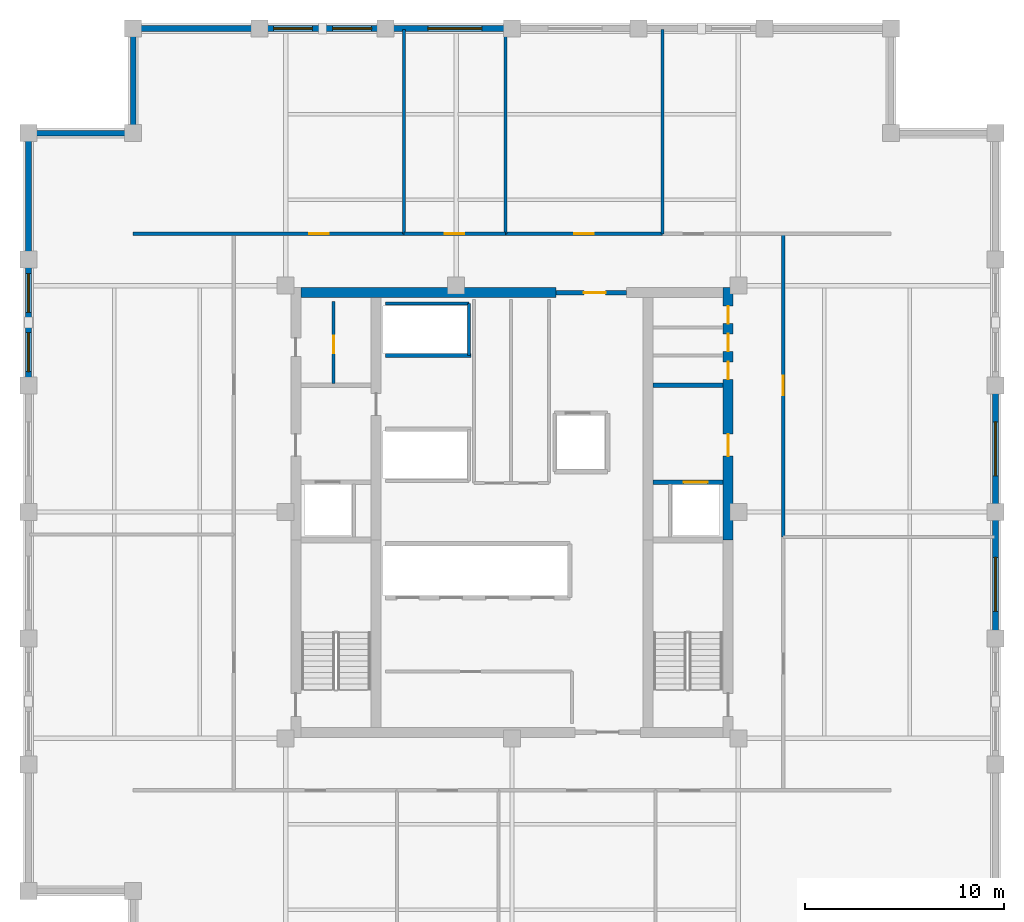
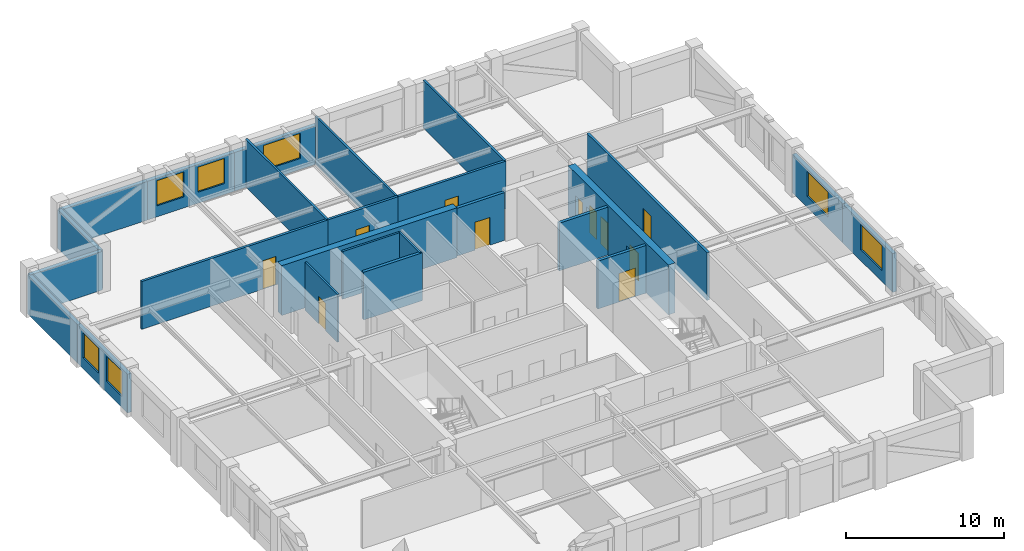
# One storey, part 4 of 6: 25 walls, 11 doors, 7 windows, 18 openings.
"""IFC4 building model written with IfcOpenShell, lengths in metres."""

import ifcopenshell
import ifcopenshell.guid

model = None  # the IFC model being written
_history = None  # IfcOwnerHistory: only IFC2X3 demands one
_inside = {}  # id of a spatial element -> (the spatial element, [elements in it])
_under = {}  # id of a project, library or spatial element -> (it, [spatial elements below it])
_declared = {}  # id of a project -> (the project, [libraries it declares])
_typed = {}  # id of a type object -> (the type object, [elements of that type])
_made_of = {}  # id of a material, layer set ... -> (it, [elements and type objects made of it])


def new_model(schema):
    """Start an empty IFC model of exactly this schema.

    Asked for "IFC4X3", IfcOpenShell would pick the latest addendum, in which some entities
    have other attributes; the version numbers below select the first issue.
    IFC2X3 requires an IfcOwnerHistory on every rooted entity: one is made here for all.
    """
    global model, _history
    if schema == "IFC4X3":
        model = ifcopenshell.file(schema_version=(4, 3, 0, 0))
    else:
        model = ifcopenshell.file(schema=schema)
    _inside.clear()
    _under.clear()
    _declared.clear()
    _typed.clear()
    _made_of.clear()
    _history = None
    if model.schema == "IFC2X3":
        org = make("IfcOrganization", Name="unknown")
        user = make(
            "IfcPersonAndOrganization",
            ThePerson=make("IfcPerson", FamilyName="unknown"),
            TheOrganization=org,
        )
        app = make(
            "IfcApplication",
            ApplicationDeveloper=org,
            Version="unknown",
            ApplicationFullName="unknown",
            ApplicationIdentifier="unknown",
        )
        _history = make(
            "IfcOwnerHistory",
            OwningUser=user,
            OwningApplication=app,
            ChangeAction="ADDED",
            CreationDate=0,
        )
    return model


def make(cls, **values):
    """One entity of the class cls with the attributes given. An attribute that is None is left unset."""
    return model.create_entity(
        cls, **{name: value for name, value in values.items() if value is not None}
    )


def rooted(cls, **values):
    """An entity with a GlobalId (a new one), such as an element, a storey or a relation."""
    return make(cls, GlobalId=ifcopenshell.guid.new(), OwnerHistory=_history, **values)


def si_unit(unit_type, name, prefix=None):
    """IfcSIUnit, for example si_unit("LENGTHUNIT", "METRE", prefix="MILLI")."""
    return make("IfcSIUnit", UnitType=unit_type, Prefix=prefix, Name=name)


def assignment(units):
    """IfcUnitAssignment: the units of a project."""
    return None if units is None else make("IfcUnitAssignment", Units=units)


def point(xyz):
    """IfcCartesianPoint."""
    return None if xyz is None else make("IfcCartesianPoint", Coordinates=xyz)


def direction(xyz):
    """IfcDirection."""
    return None if xyz is None else make("IfcDirection", DirectionRatios=xyz)


def frame(location, z_axis=None, x_axis=None):
    """IfcAxis2Placement3D, a coordinate frame: its origin and axes. An axis left out is left unset."""
    return make(
        "IfcAxis2Placement3D",
        Location=point(location),
        Axis=direction(z_axis),
        RefDirection=direction(x_axis),
    )


def frame_2d(location, x_axis=None):
    """IfcAxis2Placement2D, a coordinate frame in the plane: its origin and x axis."""
    return make(
        "IfcAxis2Placement2D", Location=point(location), RefDirection=direction(x_axis)
    )


def origin():
    """The frame at (0, 0, 0) with its axes left unset."""
    return frame((0.0, 0.0, 0.0))


def place(relative_to, where):
    """IfcLocalPlacement: puts the frame where relative to a parent placement (None: the world)."""
    return make(
        "IfcLocalPlacement", PlacementRelTo=relative_to, RelativePlacement=where
    )


def context(
    kind, dimensions, precision=None, world=None, true_north=None, identifier=None
):
    """IfcGeometricRepresentationContext, for example the 3D "Model" context."""
    return make(
        "IfcGeometricRepresentationContext",
        ContextIdentifier=identifier,
        ContextType=kind,
        CoordinateSpaceDimension=dimensions,
        Precision=precision,
        WorldCoordinateSystem=world,
        TrueNorth=true_north,
    )


def subcontext(parent, identifier, kind, view, scale=None):
    """IfcGeometricRepresentationSubContext, for example "Body" below "Model"."""
    return make(
        "IfcGeometricRepresentationSubContext",
        ContextIdentifier=identifier,
        ContextType=kind,
        ParentContext=parent,
        TargetScale=scale,
        TargetView=view,
    )


def project(units=None, contexts=None):
    """IfcProject with its units and contexts."""
    return rooted(
        "IfcProject",
        Name="project",
        RepresentationContexts=contexts,
        UnitsInContext=assignment(units),
    )


def spatial(cls, under=None, at=None, **own):
    """A site, building, storey or space (cls), placed at a placement, below another one or the project."""
    s = rooted(cls, ObjectPlacement=at, **own)
    if under is not None:
        _under.setdefault(under.id(), (under, []))[1].append(s)
    return s


def profile(cls, at=None, kind="AREA", **sizes):
    """A parametric profile (cls). Its sizes go by their IFC names, for example OverallWidth=200.0."""
    return make(cls, ProfileType=kind, Position=at, **sizes)


def rectangle(**sizes):
    """IfcRectangleProfileDef."""
    return profile("IfcRectangleProfileDef", **sizes)


def extrude(swept, where, along, depth):
    """IfcExtrudedAreaSolid: the profile swept, set in the frame where, extruded along a direction by depth."""
    return make(
        "IfcExtrudedAreaSolid",
        SweptArea=swept,
        Position=where,
        ExtrudedDirection=direction(along),
        Depth=depth,
    )


def shape(context_of_items, identifier, shape_type, items):
    """IfcShapeRepresentation: the items that make up one representation, for example the "Body"."""
    return make(
        "IfcShapeRepresentation",
        ContextOfItems=context_of_items,
        RepresentationIdentifier=identifier,
        RepresentationType=shape_type,
        Items=items,
    )


def material(Name=None, Category=None):
    """IfcMaterial."""
    return make("IfcMaterial", Name=Name, Category=Category)


def layer(
    of_material, thickness, ventilated=None, Name=None, Category=None, Priority=None
):
    """IfcMaterialLayer: one layer of a wall or slab, of a material (None: an air gap)."""
    return make(
        "IfcMaterialLayer",
        Material=of_material,
        LayerThickness=thickness,
        IsVentilated=ventilated,
        Name=Name,
        Category=Category,
        Priority=Priority,
    )


def layer_set(layers, Name=None):
    """IfcMaterialLayerSet."""
    return make("IfcMaterialLayerSet", MaterialLayers=layers, LayerSetName=Name)


def made_of(thing, what):
    """Note that an element or type object is made of a material, layer set ...; save() writes the relation."""
    if what is not None:
        _made_of.setdefault(what.id(), (what, []))[1].append(thing)
    return thing


def type_object(cls, material=None, **own):
    """A type object (cls), such as IfcWallType, which elements share."""
    return made_of(rooted(cls, **own), material)


def element(
    cls,
    number,
    at=None,
    inside=None,
    cuts=None,
    type_object=None,
    material=None,
    context=None,
    identifier="Body",
    shape_type=None,
    held_by="IfcProductDefinitionShape",
    body=None,
    shapes=None,
    **own,
):
    """One element of the class cls, such as IfcWall. Its Tag is "e" and its number.

    at: its placement. inside: the storey or other place that contains it. cuts: it is an
    opening in that element (IfcRelVoidsElement). A single representation is given by context,
    identifier, shape_type and body (its items); several are given by shapes. held_by: the class
    of the entity that holds the representations. save() writes the other relations.
    """
    e = rooted(cls, Tag="e%d" % number, ObjectPlacement=at, **own)
    if body is not None:
        shapes = [shape(context, identifier, shape_type, body)]
    if shapes is not None:
        e.Representation = make(held_by, Representations=shapes)
    if inside is not None:
        _inside.setdefault(inside.id(), (inside, []))[1].append(e)
    if cuts is not None:
        rooted(
            "IfcRelVoidsElement", RelatingBuildingElement=cuts, RelatedOpeningElement=e
        )
    if type_object is not None:
        _typed.setdefault(type_object.id(), (type_object, []))[1].append(e)
    return made_of(e, material)


def fill(opening, filler):
    """IfcRelFillsElement: the door or window that sits in an opening."""
    return rooted(
        "IfcRelFillsElement",
        RelatingOpeningElement=opening,
        RelatedBuildingElement=filler,
    )


def aggregate(whole, parts):
    """IfcRelAggregates: a whole, such as a stair, and the parts it consists of."""
    return rooted("IfcRelAggregates", RelatingObject=whole, RelatedObjects=parts)


def save(model, path):
    """Write the relations noted so far, then the file.

    IfcRelAggregates (storeys below a building ...), IfcRelContainedInSpatialStructure (elements
    in a storey), IfcRelDefinesByType, IfcRelAssociatesMaterial and IfcRelDeclares: one each for
    every whole, place, type object, material and project.
    """
    for whole, parts in _under.values():
        aggregate(whole, parts)
    for where, things in _inside.values():
        rooted(
            "IfcRelContainedInSpatialStructure",
            RelatedElements=things,
            RelatingStructure=where,
        )
    for kind, things in _typed.values():
        rooted("IfcRelDefinesByType", RelatedObjects=things, RelatingType=kind)
    for what, things in _made_of.values():
        rooted("IfcRelAssociatesMaterial", RelatedObjects=things, RelatingMaterial=what)
    for by, libraries in _declared.values():
        rooted("IfcRelDeclares", RelatingContext=by, RelatedDefinitions=libraries)
    model.write(path)


model = new_model("IFC4")

# Units and contexts
model_context = context("Model", 3, precision=1e-05, world=origin(), true_north=direction((0.0, 1.0)))
body_context = subcontext(model_context, "Body", "Model", "MODEL_VIEW")
ifc_project = project(units=[si_unit("LENGTHUNIT", "METRE"), si_unit("AREAUNIT", "SQUARE_METRE"), si_unit("VOLUMEUNIT", "CUBIC_METRE"), si_unit("PLANEANGLEUNIT", "RADIAN"), si_unit("MASSUNIT", "GRAM", prefix="KILO")], contexts=[model_context])

# Site, building, storey
site_placement = place(None, origin())
site = spatial("IfcSite", under=ifc_project, at=site_placement, CompositionType="ELEMENT")
building_placement = place(site_placement, origin())
building = spatial("IfcBuilding", under=site, at=building_placement, Name="Nhamokura Convention Tower", CompositionType="ELEMENT")
storey_placement = place(building_placement, frame((0.0, 0.0, 202.300048828125)))
storey = spatial("IfcBuildingStorey", under=building, at=storey_placement, Name="L49", CompositionType="ELEMENT", Elevation=202.300048828125)

# Wall, opening, door
ifc_material_1 = material(Name="Moisture-resistant tile-backer partition", Category="masonry")
ifc_layer_1 = layer(ifc_material_1, 0.139892578125)
ifc_layer_set_1 = layer_set([ifc_layer_1], Name="BathroomWetWall_140")
wall_type_1 = type_object("IfcWallType", Name="BathroomWetWall_140", PredefinedType="STANDARD", material=ifc_layer_set_1)
wall_1_placement = place(storey_placement, frame((23.050048828125, 38.449951171875, 0.0), z_axis=(0.0, 0.0, 1.0), x_axis=(0.0, 1.0, 0.0)))
wall_1 = element("IfcWall", 1, at=wall_1_placement, inside=storey, type_object=wall_type_1, Name="L49 Wall INT-L49-CWNWV", PredefinedType="STANDARD", context=body_context, shape_type="SweptSolid", body=[
    extrude(rectangle(XDim=4.10009765625, YDim=0.139892578125, at=frame_2d((2.050048828125, 0.0))), origin(), (0.0, 0.0, 1.0), 3.68505859375),
])
opening_1_placement = place(wall_1_placement, frame((1.5, 0.0, 0.0)))
opening_1 = element("IfcOpeningElement", 2, at=opening_1_placement, cuts=wall_1, Name="Opening D-11", PredefinedType="OPENING", context=body_context, shape_type="SweptSolid", body=[
    extrude(rectangle(XDim=0.8798828125, YDim=2.10009765625, at=frame_2d((0.43994140625, 1.050048828125))), frame((0.0, 0.079833984375, 0.0), z_axis=(0.0, -1.0, 0.0), x_axis=(1.0, 0.0, 0.0)), (0.0, 0.0, 1.0), 0.159912109375),
])
ifc_material_2 = material(Name="Solid oak hardwood", Category="wood")
door_type_1 = type_object("IfcDoorType", Name="BathroomDoor_880", OperationType="NOTDEFINED", PredefinedType="DOOR", material=ifc_material_2)
door_1_placement = place(opening_1_placement, origin())
door_1 = element("IfcDoor", 3, at=door_1_placement, inside=storey, type_object=door_type_1, Name="L49 Inner Store Door", OperationType="SINGLE_SWING_LEFT", OverallHeight=2.10009765625, OverallWidth=0.8798828125, PredefinedType="DOOR", context=body_context, shape_type="SweptSolid", body=[
    extrude(rectangle(XDim=0.8798828125, YDim=2.10009765625, at=frame_2d((0.43994140625, 1.050048828125))), frame((0.0, 0.02490234375, 0.0), z_axis=(0.0, -1.0, 0.0), x_axis=(1.0, 0.0, 0.0)), (0.0, 0.0, 1.0), 0.050048828125),
])
fill(opening_1, door_1)

# Wall
ifc_material_3 = material(Name="Bronze-pigmented precast concrete C45/55", Category="concrete")
ifc_layer_2 = layer(ifc_material_3, 0.280029296875)
ifc_layer_set_2 = layer_set([ifc_layer_2], Name="BronzePrecastSpandrel_280")
wall_type_2 = type_object("IfcWallType", Name="BronzePrecastSpandrel_280", PredefinedType="USERDEFINED", material=ifc_layer_set_2)
wall_2_placement = place(storey_placement, frame((13.0, 56.25, 0.0), z_axis=(0.0, 0.0, 1.0), x_axis=(1.0, 0.0, 0.0)))
element("IfcWall", 4, at=wall_2_placement, inside=storey, type_object=wall_type_2, Name="L49 Braced-Bay Precast Wall NORTH 0", ObjectType="SPANDREL_WALL", PredefinedType="USERDEFINED", context=body_context, shape_type="SweptSolid", body=[
    extrude(rectangle(XDim=6.333251953125, YDim=0.280029296875, at=frame_2d((3.16650390625, 0.0))), origin(), (0.0, 0.0, 1.0), 2.98486328125),
])

# Wall, openings, windows
wall_3_placement = place(storey_placement, frame((19.333251953125, 56.25, 0.0), z_axis=(0.0, 0.0, 1.0), x_axis=(1.0, 0.0, 0.0)))
wall_3 = element("IfcWall", 5, at=wall_3_placement, inside=storey, type_object=wall_type_2, Name="L49 Masonry-Frame Wall NORTH 1", ObjectType="SPANDREL_WALL", PredefinedType="USERDEFINED", context=body_context, shape_type="SweptSolid", body=[
    extrude(rectangle(XDim=6.33349609375, YDim=0.280029296875, at=frame_2d((3.166748046875, 0.0))), origin(), (0.0, 0.0, 1.0), 2.98486328125),
])
opening_2_placement = place(wall_3_placement, frame((0.708251953125, 0.0, 0.85009765625)))
opening_2 = element("IfcOpeningElement", 6, at=opening_2_placement, cuts=wall_3, Name="Opening W-08", PredefinedType="OPENING", context=body_context, shape_type="SweptSolid", body=[
    extrude(rectangle(XDim=1.949951171875, YDim=1.93505859375, at=frame_2d((0.97509765625, 0.967529296875))), frame((0.0, 0.14990234375, 0.0), z_axis=(0.0, -1.0, 0.0), x_axis=(1.0, 0.0, 0.0)), (0.0, 0.0, 1.0), 0.300048828125),
])
opening_3_placement = place(wall_3_placement, frame((3.675048828125, 0.0, 0.85009765625)))
opening_3 = element("IfcOpeningElement", 7, at=opening_3_placement, cuts=wall_3, Name="Opening W-08", PredefinedType="OPENING", context=body_context, shape_type="SweptSolid", body=[
    extrude(rectangle(XDim=1.949951171875, YDim=1.93505859375, at=frame_2d((0.97509765625, 0.967529296875))), frame((0.0, 0.14990234375, 0.0), z_axis=(0.0, -1.0, 0.0), x_axis=(1.0, 0.0, 0.0)), (0.0, 0.0, 1.0), 0.300048828125),
])
ifc_material_4 = material(Name="Solar-control bronze low-E double glass", Category="glass")
window_type_1 = type_object("IfcWindowType", Name="OfficeModuleWindow_Z3_1950", PartitioningType="SINGLE_PANEL", PredefinedType="WINDOW", material=ifc_material_4)
window_1_placement = place(opening_2_placement, origin())
window_1 = element("IfcWindow", 8, at=window_1_placement, inside=storey, type_object=window_type_1, Name="L49 Facade Window NORTH 1-1", OverallHeight=1.93505859375, OverallWidth=1.949951171875, PartitioningType="SINGLE_PANEL", PredefinedType="WINDOW", context=body_context, shape_type="SweptSolid", body=[
    extrude(rectangle(XDim=1.949951171875, YDim=1.93505859375, at=frame_2d((0.97509765625, 0.967529296875))), frame((0.0, 0.030029296875, 0.0), z_axis=(0.0, -1.0, 0.0), x_axis=(1.0, 0.0, 0.0)), (0.0, 0.0, 1.0), 0.06005859375),
])
fill(opening_2, window_1)
window_2_placement = place(opening_3_placement, origin())
window_2 = element("IfcWindow", 9, at=window_2_placement, inside=storey, type_object=window_type_1, Name="L49 Facade Window NORTH 1-2", OverallHeight=1.93505859375, OverallWidth=1.949951171875, PartitioningType="SINGLE_PANEL", PredefinedType="WINDOW", context=body_context, shape_type="SweptSolid", body=[
    extrude(rectangle(XDim=1.949951171875, YDim=1.93505859375, at=frame_2d((0.97509765625, 0.967529296875))), frame((0.0, 0.030029296875, 0.0), z_axis=(0.0, -1.0, 0.0), x_axis=(1.0, 0.0, 0.0)), (0.0, 0.0, 1.0), 0.06005859375),
])
fill(opening_3, window_2)

# Wall, opening, window
wall_4_placement = place(storey_placement, frame((25.666748046875, 56.25, 0.0), z_axis=(0.0, 0.0, 1.0), x_axis=(1.0, 0.0, 0.0)))
wall_4 = element("IfcWall", 10, at=wall_4_placement, inside=storey, type_object=wall_type_2, Name="L49 Masonry-Frame Wall NORTH 2", ObjectType="SPANDREL_WALL", PredefinedType="USERDEFINED", context=body_context, shape_type="SweptSolid", body=[
    extrude(rectangle(XDim=6.333251953125, YDim=0.280029296875, at=frame_2d((3.16650390625, 0.0))), origin(), (0.0, 0.0, 1.0), 2.98486328125),
])
opening_4_placement = place(wall_4_placement, frame((2.11669921875, 0.0, 0.85009765625)))
opening_4 = element("IfcOpeningElement", 11, at=opening_4_placement, cuts=wall_4, Name="Opening W-07", PredefinedType="OPENING", context=body_context, shape_type="SweptSolid", body=[
    extrude(rectangle(XDim=2.699951171875, YDim=1.93505859375, at=frame_2d((1.35009765625, 0.967529296875))), frame((0.0, 0.14990234375, 0.0), z_axis=(0.0, -1.0, 0.0), x_axis=(1.0, 0.0, 0.0)), (0.0, 0.0, 1.0), 0.300048828125),
])
ifc_material_5 = material(Name="Solar-control bronze low-E double glass", Category="glass")
window_type_2 = type_object("IfcWindowType", Name="OfficeModuleWindow_Z3_2700", PartitioningType="DOUBLE_PANEL_VERTICAL", PredefinedType="WINDOW", material=ifc_material_5)
window_3_placement = place(opening_4_placement, origin())
window_3 = element("IfcWindow", 12, at=window_3_placement, inside=storey, type_object=window_type_2, Name="L49 Facade Window NORTH 2", OverallHeight=1.93505859375, OverallWidth=2.699951171875, PartitioningType="SINGLE_PANEL", PredefinedType="WINDOW", context=body_context, shape_type="SweptSolid", body=[
    extrude(rectangle(XDim=2.699951171875, YDim=1.93505859375, at=frame_2d((1.35009765625, 0.967529296875))), frame((0.0, 0.030029296875, 0.0), z_axis=(0.0, -1.0, 0.0), x_axis=(1.0, 0.0, 0.0)), (0.0, 0.0, 1.0), 0.06005859375),
])
fill(opening_4, window_3)

# Wall, openings, windows
wall_5_placement = place(storey_placement, frame((7.75, 38.333251953125, 0.0), z_axis=(0.0, 0.0, 1.0), x_axis=(0.0, 1.0, 0.0)))
wall_5 = element("IfcWall", 13, at=wall_5_placement, inside=storey, type_object=wall_type_2, Name="L49 Masonry-Frame Wall WEST 4", ObjectType="SPANDREL_WALL", PredefinedType="USERDEFINED", context=body_context, shape_type="SweptSolid", body=[
    extrude(rectangle(XDim=6.33349609375, YDim=0.280029296875, at=frame_2d((3.166748046875, 0.0))), origin(), (0.0, 0.0, 1.0), 2.98486328125),
])
opening_5_placement = place(wall_5_placement, frame((0.708251953125, 0.0, 0.85009765625)))
opening_5 = element("IfcOpeningElement", 14, at=opening_5_placement, cuts=wall_5, Name="Opening W-08", PredefinedType="OPENING", context=body_context, shape_type="SweptSolid", body=[
    extrude(rectangle(XDim=1.949951171875, YDim=1.93505859375, at=frame_2d((0.97509765625, 0.967529296875))), frame((0.0, 0.14990234375, 0.0), z_axis=(0.0, -1.0, 0.0), x_axis=(1.0, 0.0, 0.0)), (0.0, 0.0, 1.0), 0.300048828125),
])
opening_6_placement = place(wall_5_placement, frame((3.675048828125, 0.0, 0.85009765625)))
opening_6 = element("IfcOpeningElement", 15, at=opening_6_placement, cuts=wall_5, Name="Opening W-08", PredefinedType="OPENING", context=body_context, shape_type="SweptSolid", body=[
    extrude(rectangle(XDim=1.949951171875, YDim=1.93505859375, at=frame_2d((0.97509765625, 0.967529296875))), frame((0.0, 0.14990234375, 0.0), z_axis=(0.0, -1.0, 0.0), x_axis=(1.0, 0.0, 0.0)), (0.0, 0.0, 1.0), 0.300048828125),
])
window_4_placement = place(opening_5_placement, origin())
window_4 = element("IfcWindow", 16, at=window_4_placement, inside=storey, type_object=window_type_1, Name="L49 Facade Window WEST 4-1", OverallHeight=1.93505859375, OverallWidth=1.949951171875, PartitioningType="SINGLE_PANEL", PredefinedType="WINDOW", context=body_context, shape_type="SweptSolid", body=[
    extrude(rectangle(XDim=1.949951171875, YDim=1.93505859375, at=frame_2d((0.97509765625, 0.967529296875))), frame((0.0, 0.030029296875, 0.0), z_axis=(0.0, -1.0, 0.0), x_axis=(1.0, 0.0, 0.0)), (0.0, 0.0, 1.0), 0.06005859375),
])
fill(opening_5, window_4)
window_5_placement = place(opening_6_placement, origin())
window_5 = element("IfcWindow", 17, at=window_5_placement, inside=storey, type_object=window_type_1, Name="L49 Facade Window WEST 4-2", OverallHeight=1.93505859375, OverallWidth=1.949951171875, PartitioningType="SINGLE_PANEL", PredefinedType="WINDOW", context=body_context, shape_type="SweptSolid", body=[
    extrude(rectangle(XDim=1.949951171875, YDim=1.93505859375, at=frame_2d((0.97509765625, 0.967529296875))), frame((0.0, 0.030029296875, 0.0), z_axis=(0.0, -1.0, 0.0), x_axis=(1.0, 0.0, 0.0)), (0.0, 0.0, 1.0), 0.06005859375),
])
fill(opening_6, window_5)

# Wall
wall_6_placement = place(storey_placement, frame((7.75, 44.666748046875, 0.0), z_axis=(0.0, 0.0, 1.0), x_axis=(0.0, 1.0, 0.0)))
element("IfcWall", 18, at=wall_6_placement, inside=storey, type_object=wall_type_2, Name="L49 Braced-Bay Precast Wall WEST 5", ObjectType="SPANDREL_WALL", PredefinedType="USERDEFINED", context=body_context, shape_type="SweptSolid", body=[
    extrude(rectangle(XDim=6.333251953125, YDim=0.280029296875, at=frame_2d((3.16650390625, 0.0))), origin(), (0.0, 0.0, 1.0), 2.98486328125),
])

# Wall, opening, window
wall_7_placement = place(storey_placement, frame((56.25, 32.0, 0.0), z_axis=(0.0, 0.0, 1.0), x_axis=(0.0, -1.0, 0.0)))
wall_7 = element("IfcWall", 19, at=wall_7_placement, inside=storey, type_object=wall_type_2, Name="L49 Masonry-Frame Wall EAST 2", ObjectType="SPANDREL_WALL", PredefinedType="USERDEFINED", context=body_context, shape_type="SweptSolid", body=[
    extrude(rectangle(XDim=6.333251953125, YDim=0.280029296875, at=frame_2d((3.16650390625, 0.0))), origin(), (0.0, 0.0, 1.0), 2.98486328125),
])
opening_7_placement = place(wall_7_placement, frame((2.279296875, 0.0, 0.85009765625)))
opening_7 = element("IfcOpeningElement", 20, at=opening_7_placement, cuts=wall_7, Name="Opening W-07", PredefinedType="OPENING", context=body_context, shape_type="SweptSolid", body=[
    extrude(rectangle(XDim=2.699951171875, YDim=1.93505859375, at=frame_2d((1.35009765625, 0.967529296875))), frame((0.0, 0.14990234375, 0.0), z_axis=(0.0, -1.0, 0.0), x_axis=(1.0, 0.0, 0.0)), (0.0, 0.0, 1.0), 0.300048828125),
])
window_6_placement = place(opening_7_placement, origin())
window_6 = element("IfcWindow", 21, at=window_6_placement, inside=storey, type_object=window_type_2, Name="L49 Facade Window EAST 2-2", OverallHeight=1.93505859375, OverallWidth=2.699951171875, PartitioningType="SINGLE_PANEL", PredefinedType="WINDOW", context=body_context, shape_type="SweptSolid", body=[
    extrude(rectangle(XDim=2.699951171875, YDim=1.93505859375, at=frame_2d((1.35009765625, 0.967529296875))), frame((0.0, 0.030029296875, 0.0), z_axis=(0.0, -1.0, 0.0), x_axis=(1.0, 0.0, 0.0)), (0.0, 0.0, 1.0), 0.06005859375),
])
fill(opening_7, window_6)

wall_8_placement = place(storey_placement, frame((56.25, 38.333251953125, 0.0), z_axis=(0.0, 0.0, 1.0), x_axis=(0.0, -1.0, 0.0)))
wall_8 = element("IfcWall", 22, at=wall_8_placement, inside=storey, type_object=wall_type_2, Name="L49 Masonry-Frame Wall EAST 3", ObjectType="SPANDREL_WALL", PredefinedType="USERDEFINED", context=body_context, shape_type="SweptSolid", body=[
    extrude(rectangle(XDim=6.333251953125, YDim=0.280029296875, at=frame_2d((3.16650390625, 0.0))), origin(), (0.0, 0.0, 1.0), 2.98486328125),
])
opening_8_placement = place(wall_8_placement, frame((1.816650390625, 0.0, 0.85009765625)))
opening_8 = element("IfcOpeningElement", 23, at=opening_8_placement, cuts=wall_8, Name="Opening W-07", PredefinedType="OPENING", context=body_context, shape_type="SweptSolid", body=[
    extrude(rectangle(XDim=2.699951171875, YDim=1.93505859375, at=frame_2d((1.35009765625, 0.967529296875))), frame((0.0, 0.14990234375, 0.0), z_axis=(0.0, -1.0, 0.0), x_axis=(1.0, 0.0, 0.0)), (0.0, 0.0, 1.0), 0.300048828125),
])
window_7_placement = place(opening_8_placement, origin())
window_7 = element("IfcWindow", 24, at=window_7_placement, inside=storey, type_object=window_type_2, Name="L49 Facade Window EAST 3", OverallHeight=1.93505859375, OverallWidth=2.699951171875, PartitioningType="SINGLE_PANEL", PredefinedType="WINDOW", context=body_context, shape_type="SweptSolid", body=[
    extrude(rectangle(XDim=2.699951171875, YDim=1.93505859375, at=frame_2d((1.35009765625, 0.967529296875))), frame((0.0, 0.030029296875, 0.0), z_axis=(0.0, -1.0, 0.0), x_axis=(1.0, 0.0, 0.0)), (0.0, 0.0, 1.0), 0.06005859375),
])
fill(opening_8, window_7)

# Walls
for number, where, z_axis, x_axis, name in (
    (25, (13.0, 51.0, 0.0), (0.0, 0.0, 1.0), (0.0, 1.0, 0.0), "L49 Notched Corner Wall NW1"),
    (26, (7.75, 51.0, 0.0), (0.0, 0.0, 1.0), (1.0, 0.0, 0.0), "L49 Notched Corner Wall NW2"),
):
    element("IfcWall", number, at=place(storey_placement, frame(where, z_axis=z_axis, x_axis=x_axis)), inside=storey, type_object=wall_type_2, Name=name, ObjectType="SPANDREL_WALL", PredefinedType="USERDEFINED", context=body_context, shape_type="SweptSolid", body=[
        extrude(rectangle(XDim=5.25, YDim=0.280029296875, at=frame_2d((2.625, 0.0))), origin(), (0.0, 0.0, 1.0), 2.98486328125),
    ])

# Wall, openings, doors
ifc_material_6 = material(Name="Concrete C60/75", Category="concrete")
ifc_layer_3 = layer(ifc_material_6, 0.5)
ifc_layer_set_3 = layer_set([ifc_layer_3], Name="CoreShearWall_500")
wall_type_3 = type_object("IfcWallType", Name="CoreShearWall_500", PredefinedType="SHEAR", material=ifc_layer_set_3)
wall_9_placement = place(storey_placement, frame((42.840087890625, 30.60009765625, 0.0), z_axis=(0.0, 0.0, 1.0), x_axis=(0.0, 1.0, 0.0)))
wall_9 = element("IfcWall", 27, at=wall_9_placement, inside=storey, type_object=wall_type_3, Name="L49 Core Shear Wall CW-EN", PredefinedType="SHEAR", context=body_context, shape_type="SweptSolid", body=[
    extrude(rectangle(XDim=12.64990234375, YDim=0.5, at=frame_2d((6.324951171875, 0.0))), origin(), (0.0, 0.0, 1.0), 3.849853515625),
])
opening_9_placement = place(wall_9_placement, frame((4.199951171875, 0.0, 0.0)))
opening_9 = element("IfcOpeningElement", 28, at=opening_9_placement, cuts=wall_9, Name="Opening D-05", PredefinedType="OPENING", context=body_context, shape_type="SweptSolid", body=[
    extrude(rectangle(XDim=1.10009765625, YDim=2.14990234375, at=frame_2d((0.550048828125, 1.074951171875))), frame((0.0, 0.260009765625, 0.0), z_axis=(0.0, -1.0, 0.0), x_axis=(1.0, 0.0, 0.0)), (0.0, 0.0, 1.0), 0.52001953125),
])
opening_10_placement = place(wall_9_placement, frame((8.050048828125, 0.0, 0.0)))
opening_10 = element("IfcOpeningElement", 29, at=opening_10_placement, cuts=wall_9, Name="Opening D-11", PredefinedType="OPENING", context=body_context, shape_type="SweptSolid", body=[
    extrude(rectangle(XDim=0.8798828125, YDim=2.10009765625, at=frame_2d((0.43994140625, 1.050048828125))), frame((0.0, 0.260009765625, 0.0), z_axis=(0.0, -1.0, 0.0), x_axis=(1.0, 0.0, 0.0)), (0.0, 0.0, 1.0), 0.52001953125),
])
opening_11_placement = place(wall_9_placement, frame((9.449951171875, 0.0, 0.0)))
opening_11 = element("IfcOpeningElement", 30, at=opening_11_placement, cuts=wall_9, Name="Opening D-11", PredefinedType="OPENING", context=body_context, shape_type="SweptSolid", body=[
    extrude(rectangle(XDim=0.8798828125, YDim=2.10009765625, at=frame_2d((0.43994140625, 1.050048828125))), frame((0.0, 0.260009765625, 0.0), z_axis=(0.0, -1.0, 0.0), x_axis=(1.0, 0.0, 0.0)), (0.0, 0.0, 1.0), 0.52001953125),
])
opening_12_placement = place(wall_9_placement, frame((10.85009765625, 0.0, 0.0)))
opening_12 = element("IfcOpeningElement", 31, at=opening_12_placement, cuts=wall_9, Name="Opening D-11", PredefinedType="OPENING", context=body_context, shape_type="SweptSolid", body=[
    extrude(rectangle(XDim=0.8798828125, YDim=2.10009765625, at=frame_2d((0.43994140625, 1.050048828125))), frame((0.0, 0.260009765625, 0.0), z_axis=(0.0, -1.0, 0.0), x_axis=(1.0, 0.0, 0.0)), (0.0, 0.0, 1.0), 0.52001953125),
])
door_2_placement = place(opening_10_placement, origin())
door_2 = element("IfcDoor", 32, at=door_2_placement, inside=storey, type_object=door_type_1, Name="L49 Core Door INT-L49-D-MWC", OperationType="SINGLE_SWING_LEFT", OverallHeight=2.10009765625, OverallWidth=0.8798828125, PredefinedType="DOOR", context=body_context, shape_type="SweptSolid", body=[
    extrude(rectangle(XDim=0.8798828125, YDim=2.10009765625, at=frame_2d((0.43994140625, 1.050048828125))), frame((0.0, 0.02490234375, 0.0), z_axis=(0.0, -1.0, 0.0), x_axis=(1.0, 0.0, 0.0)), (0.0, 0.0, 1.0), 0.050048828125),
])
fill(opening_10, door_2)
door_3_placement = place(opening_11_placement, origin())
door_3 = element("IfcDoor", 33, at=door_3_placement, inside=storey, type_object=door_type_1, Name="L49 Core Door INT-L49-D-FWC", OperationType="SINGLE_SWING_RIGHT", OverallHeight=2.10009765625, OverallWidth=0.8798828125, PredefinedType="DOOR", context=body_context, shape_type="SweptSolid", body=[
    extrude(rectangle(XDim=0.8798828125, YDim=2.10009765625, at=frame_2d((0.43994140625, 1.050048828125))), frame((0.0, 0.02490234375, 0.0), z_axis=(0.0, -1.0, 0.0), x_axis=(1.0, 0.0, 0.0)), (0.0, 0.0, 1.0), 0.050048828125),
])
fill(opening_11, door_3)
door_4_placement = place(opening_12_placement, origin())
door_4 = element("IfcDoor", 34, at=door_4_placement, inside=storey, type_object=door_type_1, Name="L49 Core Door INT-L49-D-ARC", OperationType="SINGLE_SWING_LEFT", OverallHeight=2.10009765625, OverallWidth=0.8798828125, PredefinedType="DOOR", context=body_context, shape_type="SweptSolid", body=[
    extrude(rectangle(XDim=0.8798828125, YDim=2.10009765625, at=frame_2d((0.43994140625, 1.050048828125))), frame((0.0, 0.02490234375, 0.0), z_axis=(0.0, -1.0, 0.0), x_axis=(1.0, 0.0, 0.0)), (0.0, 0.0, 1.0), 0.050048828125),
])
fill(opening_12, door_4)
ifc_material_7 = material(Name="Fire-rated steel door", Category="steel")
door_type_2 = type_object("IfcDoorType", Name="FireLobbyDoor_1100", OperationType="NOTDEFINED", PredefinedType="DOOR", material=ifc_material_7)
door_5_placement = place(opening_9_placement, origin())
door_5 = element("IfcDoor", 35, at=door_5_placement, inside=storey, type_object=door_type_2, Name="L49 Core Door INT-L49-D-FFLE", OperationType="SINGLE_SWING_LEFT", OverallHeight=2.14990234375, OverallWidth=1.10009765625, PredefinedType="DOOR", context=body_context, shape_type="SweptSolid", body=[
    extrude(rectangle(XDim=1.10009765625, YDim=2.14990234375, at=frame_2d((0.550048828125, 1.074951171875))), frame((0.0, 0.02490234375, 0.0), z_axis=(0.0, -1.0, 0.0), x_axis=(1.0, 0.0, 0.0)), (0.0, 0.0, 1.0), 0.050048828125),
])
fill(opening_9, door_5)

# Wall
wall_10_placement = place(storey_placement, frame((21.409912109375, 43.0, 0.0), z_axis=(0.0, 0.0, 1.0), x_axis=(1.0, 0.0, 0.0)))
element("IfcWall", 36, at=wall_10_placement, inside=storey, type_object=wall_type_3, Name="L49 Core Shear Wall CW-N1", PredefinedType="SHEAR", context=body_context, shape_type="SweptSolid", body=[
    extrude(rectangle(XDim=12.7900390625, YDim=0.5, at=frame_2d((6.39501953125, 0.0))), origin(), (0.0, 0.0, 1.0), 3.849853515625),
])

# Wall, opening, door
ifc_material_8 = material(Name="Fire-rated gypsum and masonry partition", Category="masonry")
ifc_layer_4 = layer(ifc_material_8, 0.179931640625)
ifc_layer_set_4 = layer_set([ifc_layer_4], Name="CorridorRatedWall_180")
wall_type_4 = type_object("IfcWallType", Name="CorridorRatedWall_180", PredefinedType="STANDARD", material=ifc_layer_set_4)
wall_11_placement = place(storey_placement, frame((13.0, 45.949951171875, 0.0), z_axis=(0.0, 0.0, 1.0), x_axis=(1.0, 0.0, 0.0)))
wall_11 = element("IfcWall", 37, at=wall_11_placement, inside=storey, type_object=wall_type_4, Name="L49 Wall INT-L49-CW-N00", PredefinedType="STANDARD", context=body_context, shape_type="SweptSolid", body=[
    extrude(rectangle(XDim=13.591796875, YDim=0.179931640625, at=frame_2d((6.7958984375, 0.0))), origin(), (0.0, 0.0, 1.0), 3.68505859375),
])
opening_13_placement = place(wall_11_placement, frame((8.82080078125, 0.0, 0.0)))
opening_13 = element("IfcOpeningElement", 38, at=opening_13_placement, cuts=wall_11, Name="Opening D-08", PredefinedType="OPENING", context=body_context, shape_type="SweptSolid", body=[
    extrude(rectangle(XDim=0.97998046875, YDim=2.199951171875, at=frame_2d((0.489990234375, 1.10009765625))), frame((0.0, 0.099853515625, 0.0), z_axis=(0.0, -1.0, 0.0), x_axis=(1.0, 0.0, 0.0)), (0.0, 0.0, 1.0), 0.199951171875),
])
ifc_material_9 = material(Name="Solid oak hardwood", Category="wood")
door_type_3 = type_object("IfcDoorType", Name="OfficeEntryDoor_980", OperationType="NOTDEFINED", PredefinedType="DOOR", material=ifc_material_9)
door_6_placement = place(opening_13_placement, origin())
door_6 = element("IfcDoor", 39, at=door_6_placement, inside=storey, type_object=door_type_3, Name="L49 Law Library N01 Door", OperationType="SINGLE_SWING_LEFT", OverallHeight=2.199951171875, OverallWidth=0.97998046875, PredefinedType="DOOR", context=body_context, shape_type="SweptSolid", body=[
    extrude(rectangle(XDim=0.97998046875, YDim=2.199951171875, at=frame_2d((0.489990234375, 1.10009765625))), frame((0.0, 0.02490234375, 0.0), z_axis=(0.0, -1.0, 0.0), x_axis=(1.0, 0.0, 0.0)), (0.0, 0.0, 1.0), 0.050048828125),
])
fill(opening_13, door_6)

wall_12_placement = place(storey_placement, frame((26.591796875, 45.949951171875, 0.0), z_axis=(0.0, 0.0, 1.0), x_axis=(1.0, 0.0, 0.0)))
wall_12 = element("IfcWall", 40, at=wall_12_placement, inside=storey, type_object=wall_type_4, Name="L49 Wall INT-L49-CW-N01", PredefinedType="STANDARD", context=body_context, shape_type="SweptSolid", body=[
    extrude(rectangle(XDim=5.083251953125, YDim=0.179931640625, at=frame_2d((2.54150390625, 0.0))), origin(), (0.0, 0.0, 1.0), 3.68505859375),
])
opening_14_placement = place(wall_12_placement, frame((2.041748046875, 0.0, 0.0)))
opening_14 = element("IfcOpeningElement", 41, at=opening_14_placement, cuts=wall_12, Name="Opening D-08", PredefinedType="OPENING", context=body_context, shape_type="SweptSolid", body=[
    extrude(rectangle(XDim=0.97998046875, YDim=2.199951171875, at=frame_2d((0.489990234375, 1.10009765625))), frame((0.0, 0.099853515625, 0.0), z_axis=(0.0, -1.0, 0.0), x_axis=(1.0, 0.0, 0.0)), (0.0, 0.0, 1.0), 0.199951171875),
])
door_7_placement = place(opening_14_placement, origin())
door_7 = element("IfcDoor", 42, at=door_7_placement, inside=storey, type_object=door_type_3, Name="L49 Boardroom N02 Door", OperationType="SINGLE_SWING_RIGHT", OverallHeight=2.199951171875, OverallWidth=0.97998046875, PredefinedType="DOOR", context=body_context, shape_type="SweptSolid", body=[
    extrude(rectangle(XDim=0.97998046875, YDim=2.199951171875, at=frame_2d((0.489990234375, 1.10009765625))), frame((0.0, 0.02490234375, 0.0), z_axis=(0.0, -1.0, 0.0), x_axis=(1.0, 0.0, 0.0)), (0.0, 0.0, 1.0), 0.050048828125),
])
fill(opening_14, door_7)

wall_13_placement = place(storey_placement, frame((31.675048828125, 45.949951171875, 0.0), z_axis=(0.0, 0.0, 1.0), x_axis=(1.0, 0.0, 0.0)))
wall_13 = element("IfcWall", 43, at=wall_13_placement, inside=storey, type_object=wall_type_4, Name="L49 Wall INT-L49-CW-N02", PredefinedType="STANDARD", context=body_context, shape_type="SweptSolid", body=[
    extrude(rectangle(XDim=7.88330078125, YDim=0.179931640625, at=frame_2d((3.941650390625, 0.0))), origin(), (0.0, 0.0, 1.0), 3.68505859375),
])
opening_15_placement = place(wall_13_placement, frame((3.441650390625, 0.0, 0.0)))
opening_15 = element("IfcOpeningElement", 44, at=opening_15_placement, cuts=wall_13, Name="Opening D-08", PredefinedType="OPENING", context=body_context, shape_type="SweptSolid", body=[
    extrude(rectangle(XDim=0.97998046875, YDim=2.199951171875, at=frame_2d((0.489990234375, 1.10009765625))), frame((0.0, 0.099853515625, 0.0), z_axis=(0.0, -1.0, 0.0), x_axis=(1.0, 0.0, 0.0)), (0.0, 0.0, 1.0), 0.199951171875),
])
door_8_placement = place(opening_15_placement, origin())
door_8 = element("IfcDoor", 45, at=door_8_placement, inside=storey, type_object=door_type_3, Name="L49 Private Office N03 Door", OperationType="SINGLE_SWING_LEFT", OverallHeight=2.199951171875, OverallWidth=0.97998046875, PredefinedType="DOOR", context=body_context, shape_type="SweptSolid", body=[
    extrude(rectangle(XDim=0.97998046875, YDim=2.199951171875, at=frame_2d((0.489990234375, 1.10009765625))), frame((0.0, 0.02490234375, 0.0), z_axis=(0.0, -1.0, 0.0), x_axis=(1.0, 0.0, 0.0)), (0.0, 0.0, 1.0), 0.050048828125),
])
fill(opening_15, door_8)

wall_14_placement = place(storey_placement, frame((45.60009765625, 30.75, 0.0), z_axis=(0.0, 0.0, 1.0), x_axis=(0.0, 1.0, 0.0)))
wall_14 = element("IfcWall", 46, at=wall_14_placement, inside=storey, type_object=wall_type_4, Name="L49 Wall INT-L49-CW-E01", PredefinedType="STANDARD", context=body_context, shape_type="SweptSolid", body=[
    extrude(rectangle(XDim=15.199951171875, YDim=0.179931640625, at=frame_2d((7.60009765625, 0.0))), origin(), (0.0, 0.0, 1.0), 3.68505859375),
])
opening_16_placement = place(wall_14_placement, frame((7.10009765625, 0.0, 0.0)))
opening_16 = element("IfcOpeningElement", 47, at=opening_16_placement, cuts=wall_14, Name="Opening D-08", PredefinedType="OPENING", context=body_context, shape_type="SweptSolid", body=[
    extrude(rectangle(XDim=0.97998046875, YDim=2.199951171875, at=frame_2d((0.489990234375, 1.10009765625))), frame((0.0, 0.099853515625, 0.0), z_axis=(0.0, -1.0, 0.0), x_axis=(1.0, 0.0, 0.0)), (0.0, 0.0, 1.0), 0.199951171875),
])
door_9_placement = place(opening_16_placement, origin())
door_9 = element("IfcDoor", 48, at=door_9_placement, inside=storey, type_object=door_type_3, Name="L49 Collaboration Lounge E02 Door", OperationType="SINGLE_SWING_RIGHT", OverallHeight=2.199951171875, OverallWidth=0.97998046875, PredefinedType="DOOR", context=body_context, shape_type="SweptSolid", body=[
    extrude(rectangle(XDim=0.97998046875, YDim=2.199951171875, at=frame_2d((0.489990234375, 1.10009765625))), frame((0.0, 0.02490234375, 0.0), z_axis=(0.0, -1.0, 0.0), x_axis=(1.0, 0.0, 0.0)), (0.0, 0.0, 1.0), 0.050048828125),
])
fill(opening_16, door_9)

ifc_material_10 = material(Name="Autoclaved concrete blockwork", Category="masonry")
ifc_layer_5 = layer(ifc_material_10, 0.219970703125)
ifc_layer_set_5 = layer_set([ifc_layer_5], Name="FireLobbyWall_220")
wall_type_5 = type_object("IfcWallType", Name="FireLobbyWall_220", PredefinedType="STANDARD", material=ifc_layer_set_5)
wall_15_placement = place(storey_placement, frame((39.06005859375, 33.5, 0.0), z_axis=(0.0, 0.0, 1.0), x_axis=(1.0, 0.0, 0.0)))
wall_15 = element("IfcWall", 49, at=wall_15_placement, inside=storey, type_object=wall_type_5, Name="L49 Wall INT-L49-FFE-S", PredefinedType="STANDARD", context=body_context, shape_type="SweptSolid", body=[
    extrude(rectangle(XDim=3.530029296875, YDim=0.219970703125, at=frame_2d((1.76513671875, 0.0))), origin(), (0.0, 0.0, 1.0), 3.68505859375),
])
opening_17_placement = place(wall_15_placement, frame((1.550048828125, 0.0, 0.0)))
opening_17 = element("IfcOpeningElement", 50, at=opening_17_placement, cuts=wall_15, Name="Opening LD-02", PredefinedType="OPENING", context=body_context, shape_type="SweptSolid", body=[
    extrude(rectangle(XDim=1.199951171875, YDim=2.199951171875, at=frame_2d((0.60009765625, 1.10009765625))), frame((0.0, 0.119873046875, 0.0), z_axis=(0.0, -1.0, 0.0), x_axis=(1.0, 0.0, 0.0)), (0.0, 0.0, 1.0), 0.239990234375),
])
ifc_material_11 = material(Name="Anodised bronze stainless steel", Category="steel")
door_type_4 = type_object("IfcDoorType", Name="LiftLandingDoor_FireService", OperationType="DOUBLE_DOOR_SLIDING", PredefinedType="DOOR", material=ifc_material_11)
door_10_placement = place(opening_17_placement, origin())
door_10 = element("IfcDoor", 51, at=door_10_placement, inside=storey, type_object=door_type_4, Name="L49 Firefighting Lift LF-02 Door", OperationType="DOUBLE_DOOR_SLIDING", OverallHeight=2.199951171875, OverallWidth=1.199951171875, PredefinedType="DOOR", context=body_context, shape_type="SweptSolid", body=[
    extrude(rectangle(XDim=1.199951171875, YDim=2.199951171875, at=frame_2d((0.60009765625, 1.10009765625))), frame((0.0, 0.02490234375, 0.0), z_axis=(0.0, -1.0, 0.0), x_axis=(1.0, 0.0, 0.0)), (0.0, 0.0, 1.0), 0.050048828125),
])
fill(opening_17, door_10)

# Walls
wall_16_placement = place(storey_placement, frame((39.06005859375, 38.35009765625, 0.0), z_axis=(0.0, 0.0, 1.0), x_axis=(1.0, 0.0, 0.0)))
element("IfcWall", 52, at=wall_16_placement, inside=storey, type_object=wall_type_5, Name="L49 Wall INT-L49-FFE-N", PredefinedType="STANDARD", context=body_context, shape_type="SweptSolid", body=[
    extrude(rectangle(XDim=3.530029296875, YDim=0.219970703125, at=frame_2d((1.76513671875, 0.0))), origin(), (0.0, 0.0, 1.0), 3.68505859375),
])
wall_17_placement = place(storey_placement, frame((25.64990234375, 39.85009765625, 0.0), z_axis=(0.0, 0.0, 1.0), x_axis=(1.0, 0.0, 0.0)))
element("IfcWall", 53, at=wall_17_placement, inside=storey, type_object=wall_type_5, Name="L49 Wall INT-L49-B3N", PredefinedType="STANDARD", context=body_context, shape_type="SweptSolid", body=[
    extrude(rectangle(XDim=4.300048828125, YDim=0.219970703125, at=frame_2d((2.14990234375, 0.0))), origin(), (0.0, 0.0, 1.0), 3.68505859375),
])

# Wall, opening, door
wall_18_placement = place(storey_placement, frame((34.199951171875, 43.0, 0.0), z_axis=(0.0, 0.0, 1.0), x_axis=(1.0, 0.0, 0.0)))
wall_18 = element("IfcWall", 54, at=wall_18_placement, inside=storey, type_object=wall_type_5, Name="L49 Wall INT-L49-CPORT-N", PredefinedType="STANDARD", context=body_context, shape_type="SweptSolid", body=[
    extrude(rectangle(XDim=3.550048828125, YDim=0.219970703125, at=frame_2d((1.77490234375, 0.0))), origin(), (0.0, 0.0, 1.0), 3.68505859375),
])
opening_18_placement = place(wall_18_placement, frame((1.39990234375, 0.0, 0.0)))
opening_18 = element("IfcOpeningElement", 55, at=opening_18_placement, cuts=wall_18, Name="Opening D-05", PredefinedType="OPENING", context=body_context, shape_type="SweptSolid", body=[
    extrude(rectangle(XDim=1.10009765625, YDim=2.14990234375, at=frame_2d((0.550048828125, 1.074951171875))), frame((0.0, 0.119873046875, 0.0), z_axis=(0.0, -1.0, 0.0), x_axis=(1.0, 0.0, 0.0)), (0.0, 0.0, 1.0), 0.239990234375),
])
door_11_placement = place(opening_18_placement, origin())
door_11 = element("IfcDoor", 56, at=door_11_placement, inside=storey, type_object=door_type_2, Name="L49 North Core Lobby Portal Door", OperationType="SINGLE_SWING_RIGHT", OverallHeight=2.14990234375, OverallWidth=1.10009765625, PredefinedType="DOOR", context=body_context, shape_type="SweptSolid", body=[
    extrude(rectangle(XDim=1.10009765625, YDim=2.14990234375, at=frame_2d((0.550048828125, 1.074951171875))), frame((0.0, 0.02490234375, 0.0), z_axis=(0.0, -1.0, 0.0), x_axis=(1.0, 0.0, 0.0)), (0.0, 0.0, 1.0), 0.050048828125),
])
fill(opening_18, door_11)

# Walls
ifc_material_12 = material(Name="Acoustic gypsum stud partition", Category="masonry")
ifc_layer_6 = layer(ifc_material_12, 0.14990234375)
ifc_layer_set_6 = layer_set([ifc_layer_6], Name="InteriorPartition_150")
wall_type_6 = type_object("IfcWallType", Name="InteriorPartition_150", PredefinedType="STANDARD", material=ifc_layer_set_6)
wall_19_placement = place(storey_placement, frame((25.64990234375, 42.449951171875, 0.0), z_axis=(0.0, 0.0, 1.0), x_axis=(1.0, 0.0, 0.0)))
element("IfcWall", 57, at=wall_19_placement, inside=storey, type_object=wall_type_6, Name="L49 Wall INT-L49-B3B-N", PredefinedType="STANDARD", context=body_context, shape_type="SweptSolid", body=[
    extrude(rectangle(XDim=4.2001953125, YDim=0.14990234375, at=frame_2d((2.10009765625, 0.0))), origin(), (0.0, 0.0, 1.0), 3.68505859375),
])
wall_20_placement = place(storey_placement, frame((29.85009765625, 39.85009765625, 0.0), z_axis=(0.0, 0.0, 1.0), x_axis=(0.0, 1.0, 0.0)))
element("IfcWall", 58, at=wall_20_placement, inside=storey, type_object=wall_type_6, Name="L49 Wall INT-L49-B3B-E", PredefinedType="STANDARD", context=body_context, shape_type="SweptSolid", body=[
    extrude(rectangle(XDim=2.599853515625, YDim=0.14990234375, at=frame_2d((1.2998046875, 0.0))), origin(), (0.0, 0.0, 1.0), 3.68505859375),
])
for number, where, z_axis, x_axis, name in (
    (59, (26.591796875, 45.949951171875, 0.0), (0.0, 0.0, 1.0), (0.0, 1.0, 0.0), "L49 Wall INT-L49-RW-N01"),
    (60, (31.675048828125, 45.949951171875, 0.0), (0.0, 0.0, 1.0), (0.0, 1.0, 0.0), "L49 Wall INT-L49-RW-N02"),
    (61, (39.558349609375, 45.949951171875, 0.0), (0.0, 0.0, 1.0), (0.0, 1.0, 0.0), "L49 Wall INT-L49-RW-N03"),
):
    element("IfcWall", number, at=place(storey_placement, frame(where, z_axis=z_axis, x_axis=x_axis)), inside=storey, type_object=wall_type_6, Name=name, PredefinedType="STANDARD", context=body_context, shape_type="SweptSolid", body=[
        extrude(rectangle(XDim=10.239990234375, YDim=0.14990234375, at=frame_2d((5.1201171875, 0.0))), origin(), (0.0, 0.0, 1.0), 3.68505859375),
    ])

save(model, "model.ifc")
